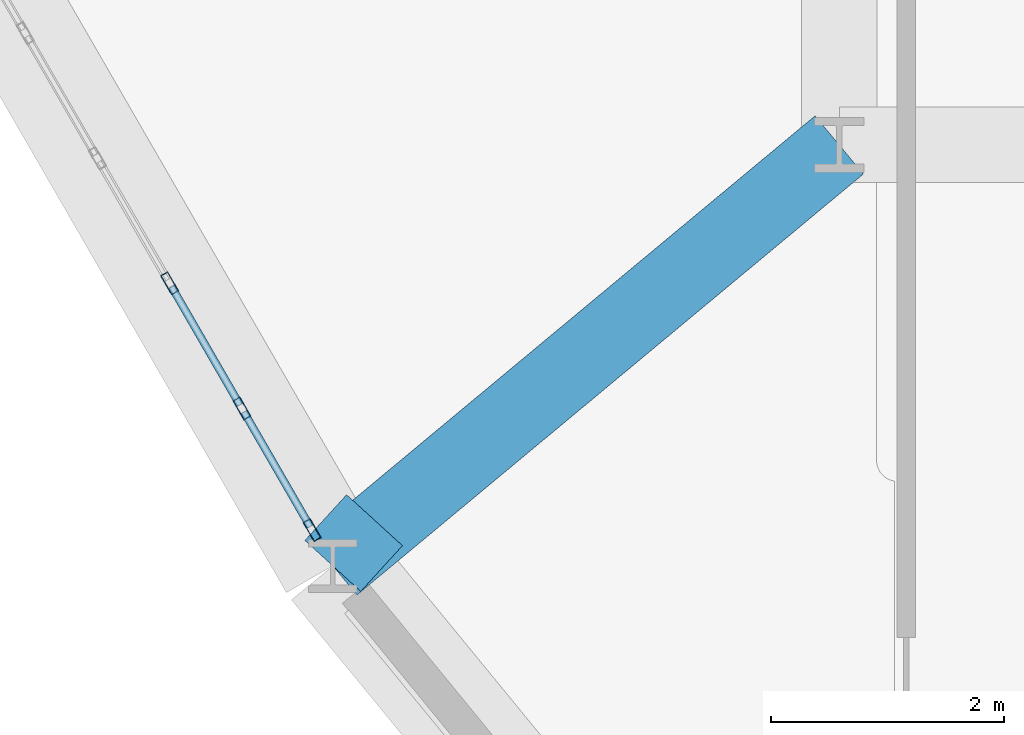
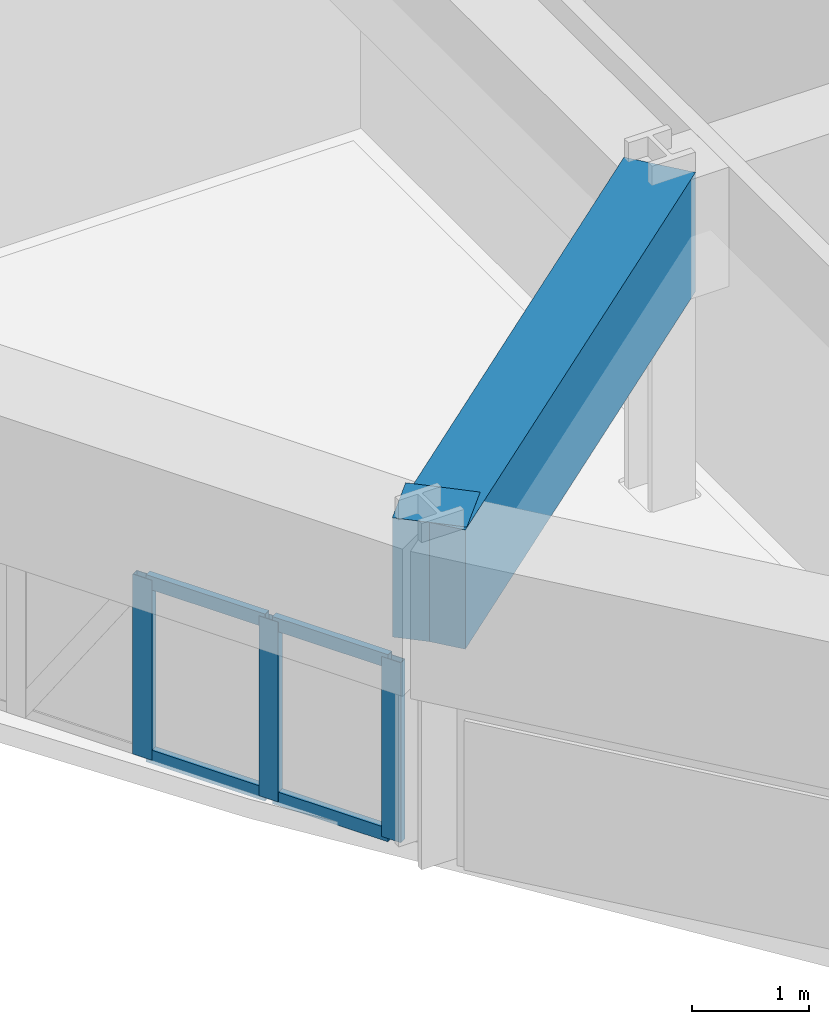
# One storey, part 2 of 16: 7 members, 2 beams, 1 element without a shape of its own.
"""IFC4 building model written with IfcOpenShell, lengths in metres."""

from ifc_helpers import new_model, si_unit, derived_unit, direction, frame, origin, origin_2d, place, context, subcontext, project, spatial, rectangle, hollow_rectangle, extrude, source, transform, mapped, material, layer, layer_set, material_profile, profile_set, type_object, element, aggregate, save


model = new_model("IFC4")

# Units and contexts
model_context = context("Model", 3, precision=1e-05, world=origin(), true_north=direction((0.0, 1.0)))
body_context = subcontext(model_context, "Body", "Model", "MODEL_VIEW")
ifc_project = project(units=[si_unit("LENGTHUNIT", "METRE"), si_unit("AREAUNIT", "SQUARE_METRE"), si_unit("VOLUMEUNIT", "CUBIC_METRE"), si_unit("PLANEANGLEUNIT", "RADIAN"), si_unit("MASSUNIT", "GRAM", prefix="KILO"), derived_unit("THERMALTRANSMITTANCEUNIT", [(si_unit("POWERUNIT", "WATT"), 1), (si_unit("LENGTHUNIT", "METRE"), -2), (si_unit("THERMODYNAMICTEMPERATUREUNIT", "KELVIN"), -1)])], contexts=[model_context])

# Site, building, storey
site_placement = place(None, origin())
site = spatial("IfcSite", under=ifc_project, at=site_placement, CompositionType="ELEMENT")
building_placement = place(site_placement, origin())
building = spatial("IfcBuilding", under=site, at=building_placement, Name="Korsvarv Bourse and Concert Hall", CompositionType="ELEMENT")
storey_placement = place(building_placement, frame((0.0, 0.0, 106.199951171875)))
storey = spatial("IfcBuildingStorey", under=building, at=storey_placement, Name="L26", CompositionType="ELEMENT", Elevation=106.199951171875)

# Beams
ifc_material_1 = material(Name="Concrete C50/60", Category="concrete")
ifc_material_profile_1 = material_profile(ifc_material_1, rectangle(XDim=0.64990234375, YDim=1.239990234375, at=origin_2d()), Name="RC-BM 650x1240")
ifc_profile_set_1 = profile_set([ifc_material_profile_1], Name="Concrete C50/60")
beam_type = type_object("IfcBeamType", Name="BM-TR-SPN", PredefinedType="BEAM", material=ifc_profile_set_1)
shared_shape_1 = source(origin(), body_context, "Body", "SweptSolid", [
    extrude(rectangle(XDim=0.64990234375, YDim=1.239990234375, at=origin_2d()), origin(), (0.0, 0.0, 1.0), 5.658447265625),
])
beam_1_placement = place(storey_placement, frame((23.248779296875, 20.3828125, 2.780029296875), z_axis=(0.768995227549, 0.639254518957, 0.0), x_axis=(-0.639254518957, 0.768995227549, 0.0)))
element("IfcBeam", 1, at=beam_1_placement, inside=storey, type_object=beam_type, Name="L26 beam B-TRS", PredefinedType="BEAM", context=body_context, shape_type="MappedRepresentation", body=[
    mapped(shared_shape_1, transform((0.0, 0.0, 0.0), scale=1.0)),
])
shared_shape_2 = source(origin(), body_context, "Body", "SweptSolid", [
    extrude(rectangle(XDim=0.64990234375, YDim=1.239990234375, at=origin_2d()), origin(), (0.0, 0.0, 1.0), 0.531982421875),
])
beam_2_placement = place(storey_placement, frame((23.248779296875, 20.3828125, 2.780029296875), z_axis=(0.673768600107, 0.738942402025, 0.0), x_axis=(-0.738942402025, 0.673768600107, 0.0)))
element("IfcBeam", 2, at=beam_2_placement, inside=storey, type_object=beam_type, Name="L26 beam B-TRS", PredefinedType="BEAM", context=body_context, shape_type="MappedRepresentation", body=[
    mapped(shared_shape_2, transform((0.0, 0.0, 0.0), scale=1.0)),
])

# Curtain wall, members
ifc_material_2 = material(Name="Anodised aluminium and triple low-E glazing", Category="glass")
ifc_layer = layer(ifc_material_2, 0.2099609375)
ifc_layer_set = layer_set([ifc_layer], Name="Anodised aluminium and triple low-E glazing")
curtain_wall_type = type_object("IfcCurtainWallType", Name="CW-SYS-2", PredefinedType="NOTDEFINED", material=ifc_layer_set)
curtain_wall_placement = place(storey_placement, origin())
curtain_wall = element("IfcCurtainWall", 3, at=curtain_wall_placement, inside=storey, type_object=curtain_wall_type, Name="L26 CW2 curtain wall CW-L26-F07", PredefinedType="NOTDEFINED")
ifc_material_3 = material(Name="Extruded aluminium EN AW-6063 T66", Category="aluminium")
ifc_material_profile_2 = material_profile(ifc_material_3, hollow_rectangle(XDim=0.070068359375, YDim=0.18994140625, WallThickness=0.0048828125, at=origin_2d()), Name="ALU-M 70x190")
ifc_profile_set_2 = profile_set([ifc_material_profile_2], Name="Extruded aluminium EN AW-6063 T66")
member_type_1 = type_object("IfcMemberType", Name="CWM-190", PredefinedType="MULLION", material=ifc_profile_set_2)
shared_shape_3 = source(origin(), body_context, "Body", "SweptSolid", [
    extrude(hollow_rectangle(XDim=0.070068359375, YDim=0.18994140625, WallThickness=0.0048828125, at=origin_2d()), origin(), (0.0, 0.0, 1.0), 1.8701171875),
])
member_1_placement = place(storey_placement, frame((21.846923828125, 22.810791015625, 0.0), z_axis=(0.0, 0.0, 1.0), x_axis=(0.866024031595, 0.500002376695, 0.0)))
member_1 = element("IfcMember", 4, at=member_1_placement, type_object=member_type_1, Name="CW2 mullion 10", PredefinedType="MULLION", context=body_context, shape_type="MappedRepresentation", body=[
    mapped(shared_shape_3, transform((0.0, 0.0, 0.0), scale=1.0)),
])
member_2_placement = place(storey_placement, frame((22.4677734375, 21.735595703125, 0.0), z_axis=(0.0, 0.0, 1.0), x_axis=(0.866024031595, 0.500002376695, 0.0)))
member_2 = element("IfcMember", 5, at=member_2_placement, type_object=member_type_1, Name="CW2 mullion 11", PredefinedType="MULLION", context=body_context, shape_type="MappedRepresentation", body=[
    mapped(shared_shape_3, transform((0.0, 0.0, 0.0), scale=1.0)),
])
member_3_placement = place(storey_placement, frame((23.071044921875, 20.6904296875, 0.0), z_axis=(0.0, 0.0, 1.0), x_axis=(0.866024031595, 0.500002376695, 0.0)))
member_3 = element("IfcMember", 6, at=member_3_placement, type_object=member_type_1, Name="CW2 mullion 12", PredefinedType="MULLION", context=body_context, shape_type="MappedRepresentation", body=[
    mapped(shared_shape_3, transform((0.0, 0.0, 0.0), scale=1.0)),
])
ifc_material_profile_3 = material_profile(ifc_material_3, hollow_rectangle(XDim=0.06494140625, YDim=0.139892578125, WallThickness=0.00390625, at=origin_2d()), Name="ALU-T 65x140")
ifc_profile_set_3 = profile_set([ifc_material_profile_3], Name="Extruded aluminium EN AW-6063 T66")
member_type_2 = type_object("IfcMemberType", Name="CWT-140", PredefinedType="USERDEFINED", material=ifc_profile_set_3)
shared_shape_4 = source(origin(), body_context, "Body", "SweptSolid", [
    extrude(hollow_rectangle(XDim=0.06494140625, YDim=0.139892578125, WallThickness=0.00390625, at=origin_2d()), origin(), (0.0, 0.0, 1.0), 1.13671875),
])
member_4_placement = place(storey_placement, frame((22.4853515625, 21.705078125, 0.032470703125), z_axis=(0.50001992892, -0.866013897511, 0.0), x_axis=(0.866013897511, 0.50001992892, 0.0)))
member_4 = element("IfcMember", 7, at=member_4_placement, type_object=member_type_2, Name="CW2 transom 11.1", ObjectType="TRANSOM", PredefinedType="USERDEFINED", context=body_context, shape_type="MappedRepresentation", body=[
    mapped(shared_shape_4, transform((0.0, 0.0, 0.0), scale=1.0)),
])
member_5_placement = place(storey_placement, frame((22.4853515625, 21.705078125, 1.837646484375), z_axis=(0.50001992892, -0.866013897511, 0.0), x_axis=(0.866013897511, 0.50001992892, 0.0)))
member_5 = element("IfcMember", 8, at=member_5_placement, type_object=member_type_2, Name="CW2 transom 11.2", ObjectType="TRANSOM", PredefinedType="USERDEFINED", context=body_context, shape_type="MappedRepresentation", body=[
    mapped(shared_shape_4, transform((0.0, 0.0, 0.0), scale=1.0)),
])
shared_shape_5 = source(origin(), body_context, "Body", "SweptSolid", [
    extrude(hollow_rectangle(XDim=0.06494140625, YDim=0.139892578125, WallThickness=0.00390625, at=origin_2d()), origin(), (0.0, 0.0, 1.0), 1.171630859375),
])
member_6_placement = place(storey_placement, frame((21.864501953125, 22.780517578125, 0.032470703125), z_axis=(0.49992689739, -0.866067605482, 0.0), x_axis=(0.866067605482, 0.49992689739, 0.0)))
member_6 = element("IfcMember", 9, at=member_6_placement, type_object=member_type_2, Name="CW2 transom 10.1", ObjectType="TRANSOM", PredefinedType="USERDEFINED", context=body_context, shape_type="MappedRepresentation", body=[
    mapped(shared_shape_5, transform((0.0, 0.0, 0.0), scale=1.0)),
])
member_7_placement = place(storey_placement, frame((21.864501953125, 22.780517578125, 1.837646484375), z_axis=(0.49992689739, -0.866067605482, 0.0), x_axis=(0.866067605482, 0.49992689739, 0.0)))
member_7 = element("IfcMember", 10, at=member_7_placement, type_object=member_type_2, Name="CW2 transom 10.2", ObjectType="TRANSOM", PredefinedType="USERDEFINED", context=body_context, shape_type="MappedRepresentation", body=[
    mapped(shared_shape_5, transform((0.0, 0.0, 0.0), scale=1.0)),
])
aggregate(curtain_wall, [member_1, member_2, member_3, member_6, member_7, member_4, member_5])

save(model, "model.ifc")
